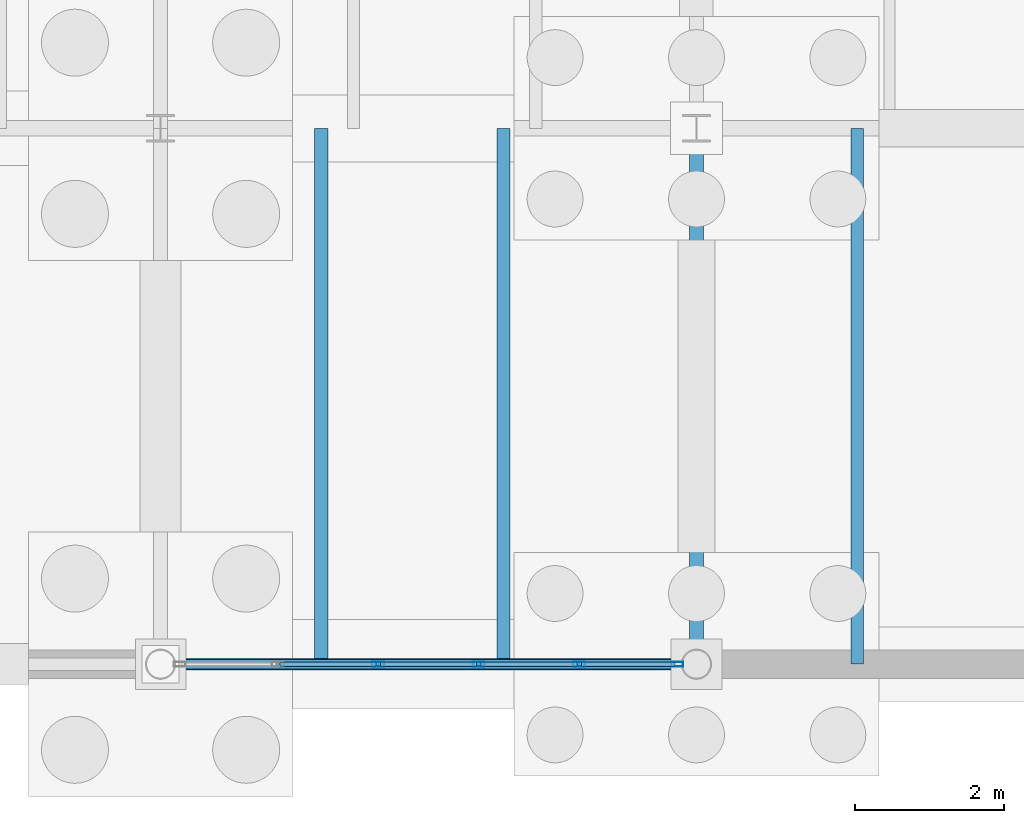
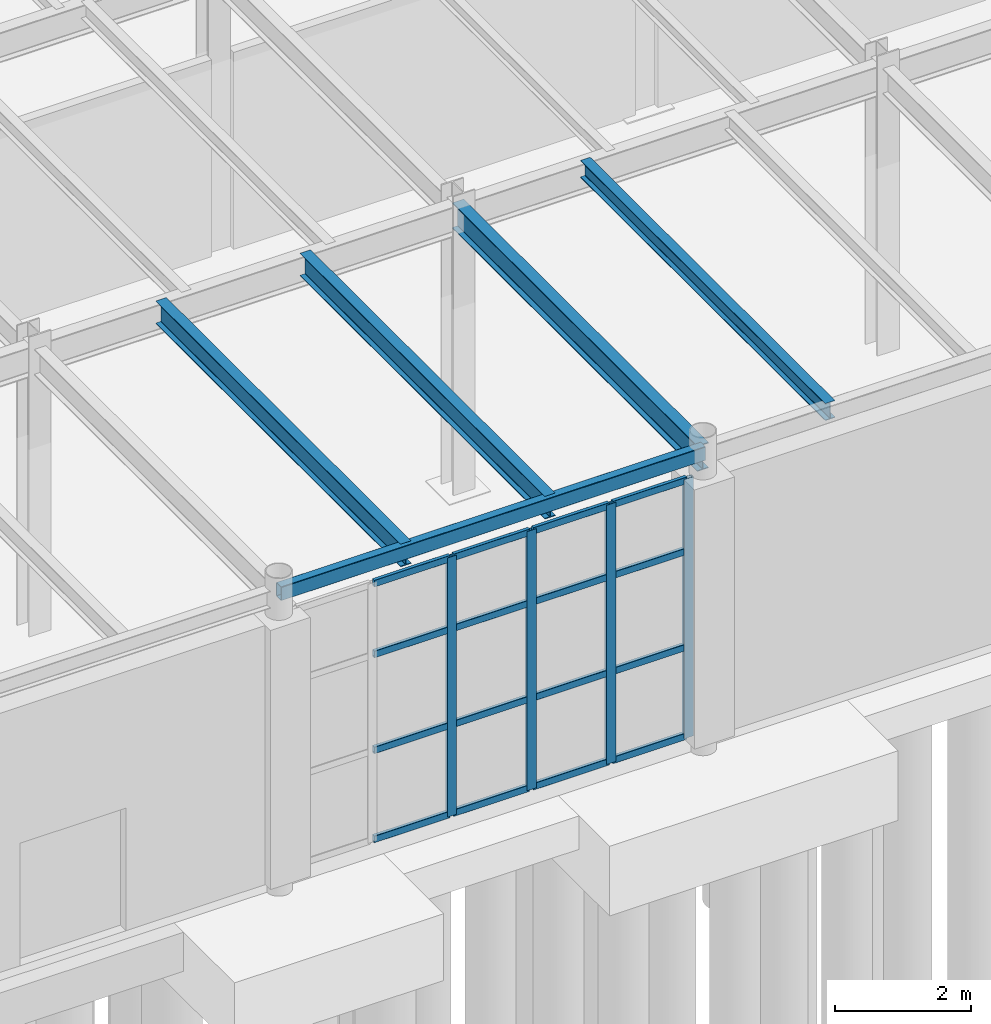
# One storey, part 50 of 293: 20 members, 5 beams, 1 element without a shape of its own.
"""IFC4 building model written with IfcOpenShell, lengths in metres."""

import ifcopenshell
import ifcopenshell.guid

model = None  # the IFC model being written
_history = None  # IfcOwnerHistory: only IFC2X3 demands one
_inside = {}  # id of a spatial element -> (the spatial element, [elements in it])
_under = {}  # id of a project, library or spatial element -> (it, [spatial elements below it])
_declared = {}  # id of a project -> (the project, [libraries it declares])
_typed = {}  # id of a type object -> (the type object, [elements of that type])
_made_of = {}  # id of a material, layer set ... -> (it, [elements and type objects made of it])


def new_model(schema):
    """Start an empty IFC model of exactly this schema.

    Asked for "IFC4X3", IfcOpenShell would pick the latest addendum, in which some entities
    have other attributes; the version numbers below select the first issue.
    IFC2X3 requires an IfcOwnerHistory on every rooted entity: one is made here for all.
    """
    global model, _history
    if schema == "IFC4X3":
        model = ifcopenshell.file(schema_version=(4, 3, 0, 0))
    else:
        model = ifcopenshell.file(schema=schema)
    _inside.clear()
    _under.clear()
    _declared.clear()
    _typed.clear()
    _made_of.clear()
    _history = None
    if model.schema == "IFC2X3":
        org = make("IfcOrganization", Name="unknown")
        user = make(
            "IfcPersonAndOrganization",
            ThePerson=make("IfcPerson", FamilyName="unknown"),
            TheOrganization=org,
        )
        app = make(
            "IfcApplication",
            ApplicationDeveloper=org,
            Version="unknown",
            ApplicationFullName="unknown",
            ApplicationIdentifier="unknown",
        )
        _history = make(
            "IfcOwnerHistory",
            OwningUser=user,
            OwningApplication=app,
            ChangeAction="ADDED",
            CreationDate=0,
        )
    return model


def make(cls, **values):
    """One entity of the class cls with the attributes given. An attribute that is None is left unset."""
    return model.create_entity(
        cls, **{name: value for name, value in values.items() if value is not None}
    )


def rooted(cls, **values):
    """An entity with a GlobalId (a new one), such as an element, a storey or a relation."""
    return make(cls, GlobalId=ifcopenshell.guid.new(), OwnerHistory=_history, **values)


def si_unit(unit_type, name, prefix=None):
    """IfcSIUnit, for example si_unit("LENGTHUNIT", "METRE", prefix="MILLI")."""
    return make("IfcSIUnit", UnitType=unit_type, Prefix=prefix, Name=name)


def assignment(units):
    """IfcUnitAssignment: the units of a project."""
    return None if units is None else make("IfcUnitAssignment", Units=units)


def point(xyz):
    """IfcCartesianPoint."""
    return None if xyz is None else make("IfcCartesianPoint", Coordinates=xyz)


def direction(xyz):
    """IfcDirection."""
    return None if xyz is None else make("IfcDirection", DirectionRatios=xyz)


def frame(location, z_axis=None, x_axis=None):
    """IfcAxis2Placement3D, a coordinate frame: its origin and axes. An axis left out is left unset."""
    return make(
        "IfcAxis2Placement3D",
        Location=point(location),
        Axis=direction(z_axis),
        RefDirection=direction(x_axis),
    )


def frame_2d(location, x_axis=None):
    """IfcAxis2Placement2D, a coordinate frame in the plane: its origin and x axis."""
    return make(
        "IfcAxis2Placement2D", Location=point(location), RefDirection=direction(x_axis)
    )


def origin():
    """The frame at (0, 0, 0) with its axes left unset."""
    return frame((0.0, 0.0, 0.0))


def origin_2d():
    """The frame at (0, 0) in the plane with its x axis left unset."""
    return frame_2d((0.0, 0.0))


def place(relative_to, where):
    """IfcLocalPlacement: puts the frame where relative to a parent placement (None: the world)."""
    return make(
        "IfcLocalPlacement", PlacementRelTo=relative_to, RelativePlacement=where
    )


def context(
    kind, dimensions, precision=None, world=None, true_north=None, identifier=None
):
    """IfcGeometricRepresentationContext, for example the 3D "Model" context."""
    return make(
        "IfcGeometricRepresentationContext",
        ContextIdentifier=identifier,
        ContextType=kind,
        CoordinateSpaceDimension=dimensions,
        Precision=precision,
        WorldCoordinateSystem=world,
        TrueNorth=true_north,
    )


def subcontext(parent, identifier, kind, view, scale=None):
    """IfcGeometricRepresentationSubContext, for example "Body" below "Model"."""
    return make(
        "IfcGeometricRepresentationSubContext",
        ContextIdentifier=identifier,
        ContextType=kind,
        ParentContext=parent,
        TargetScale=scale,
        TargetView=view,
    )


def project(units=None, contexts=None):
    """IfcProject with its units and contexts."""
    return rooted(
        "IfcProject",
        Name="project",
        RepresentationContexts=contexts,
        UnitsInContext=assignment(units),
    )


def spatial(cls, under=None, at=None, **own):
    """A site, building, storey or space (cls), placed at a placement, below another one or the project."""
    s = rooted(cls, ObjectPlacement=at, **own)
    if under is not None:
        _under.setdefault(under.id(), (under, []))[1].append(s)
    return s


def profile(cls, at=None, kind="AREA", **sizes):
    """A parametric profile (cls). Its sizes go by their IFC names, for example OverallWidth=200.0."""
    return make(cls, ProfileType=kind, Position=at, **sizes)


def hollow_rectangle(**sizes):
    """IfcRectangleHollowProfileDef."""
    return profile("IfcRectangleHollowProfileDef", **sizes)


def i_section(**sizes):
    """IfcIShapeProfileDef."""
    return profile("IfcIShapeProfileDef", **sizes)


def extrude(swept, where, along, depth):
    """IfcExtrudedAreaSolid: the profile swept, set in the frame where, extruded along a direction by depth."""
    return make(
        "IfcExtrudedAreaSolid",
        SweptArea=swept,
        Position=where,
        ExtrudedDirection=direction(along),
        Depth=depth,
    )


def shape(context_of_items, identifier, shape_type, items):
    """IfcShapeRepresentation: the items that make up one representation, for example the "Body"."""
    return make(
        "IfcShapeRepresentation",
        ContextOfItems=context_of_items,
        RepresentationIdentifier=identifier,
        RepresentationType=shape_type,
        Items=items,
    )


def material(Name=None, Category=None):
    """IfcMaterial."""
    return make("IfcMaterial", Name=Name, Category=Category)


def layer(
    of_material, thickness, ventilated=None, Name=None, Category=None, Priority=None
):
    """IfcMaterialLayer: one layer of a wall or slab, of a material (None: an air gap)."""
    return make(
        "IfcMaterialLayer",
        Material=of_material,
        LayerThickness=thickness,
        IsVentilated=ventilated,
        Name=Name,
        Category=Category,
        Priority=Priority,
    )


def layer_set(layers, Name=None):
    """IfcMaterialLayerSet."""
    return make("IfcMaterialLayerSet", MaterialLayers=layers, LayerSetName=Name)


def material_profile(
    of_material, cross_section, Name=None, Category=None, Priority=None
):
    """IfcMaterialProfile: a cross section and its material."""
    return make(
        "IfcMaterialProfile",
        Name=Name,
        Material=of_material,
        Profile=cross_section,
        Priority=Priority,
        Category=Category,
    )


def profile_set(profiles, Name=None, composite=None):
    """IfcMaterialProfileSet."""
    return make(
        "IfcMaterialProfileSet",
        Name=Name,
        MaterialProfiles=profiles,
        CompositeProfile=composite,
    )


def made_of(thing, what):
    """Note that an element or type object is made of a material, layer set ...; save() writes the relation."""
    if what is not None:
        _made_of.setdefault(what.id(), (what, []))[1].append(thing)
    return thing


def type_object(cls, material=None, **own):
    """A type object (cls), such as IfcWallType, which elements share."""
    return made_of(rooted(cls, **own), material)


def element(
    cls,
    number,
    at=None,
    inside=None,
    cuts=None,
    type_object=None,
    material=None,
    context=None,
    identifier="Body",
    shape_type=None,
    held_by="IfcProductDefinitionShape",
    body=None,
    shapes=None,
    **own,
):
    """One element of the class cls, such as IfcWall. Its Tag is "e" and its number.

    at: its placement. inside: the storey or other place that contains it. cuts: it is an
    opening in that element (IfcRelVoidsElement). A single representation is given by context,
    identifier, shape_type and body (its items); several are given by shapes. held_by: the class
    of the entity that holds the representations. save() writes the other relations.
    """
    e = rooted(cls, Tag="e%d" % number, ObjectPlacement=at, **own)
    if body is not None:
        shapes = [shape(context, identifier, shape_type, body)]
    if shapes is not None:
        e.Representation = make(held_by, Representations=shapes)
    if inside is not None:
        _inside.setdefault(inside.id(), (inside, []))[1].append(e)
    if cuts is not None:
        rooted(
            "IfcRelVoidsElement", RelatingBuildingElement=cuts, RelatedOpeningElement=e
        )
    if type_object is not None:
        _typed.setdefault(type_object.id(), (type_object, []))[1].append(e)
    return made_of(e, material)


def aggregate(whole, parts):
    """IfcRelAggregates: a whole, such as a stair, and the parts it consists of."""
    return rooted("IfcRelAggregates", RelatingObject=whole, RelatedObjects=parts)


def save(model, path):
    """Write the relations noted so far, then the file.

    IfcRelAggregates (storeys below a building ...), IfcRelContainedInSpatialStructure (elements
    in a storey), IfcRelDefinesByType, IfcRelAssociatesMaterial and IfcRelDeclares: one each for
    every whole, place, type object, material and project.
    """
    for whole, parts in _under.values():
        aggregate(whole, parts)
    for where, things in _inside.values():
        rooted(
            "IfcRelContainedInSpatialStructure",
            RelatedElements=things,
            RelatingStructure=where,
        )
    for kind, things in _typed.values():
        rooted("IfcRelDefinesByType", RelatedObjects=things, RelatingType=kind)
    for what, things in _made_of.values():
        rooted("IfcRelAssociatesMaterial", RelatedObjects=things, RelatingMaterial=what)
    for by, libraries in _declared.values():
        rooted("IfcRelDeclares", RelatingContext=by, RelatedDefinitions=libraries)
    model.write(path)


model = new_model("IFC4")

# Units and contexts
model_context = context("Model", 3, precision=1e-05, world=origin(), true_north=direction((0.0, 1.0)))
body_context = subcontext(model_context, "Body", "Model", "MODEL_VIEW")
ifc_project = project(units=[si_unit("LENGTHUNIT", "METRE"), si_unit("AREAUNIT", "SQUARE_METRE"), si_unit("VOLUMEUNIT", "CUBIC_METRE"), si_unit("PLANEANGLEUNIT", "RADIAN"), si_unit("MASSUNIT", "GRAM", prefix="KILO")], contexts=[model_context])

# Site, building, storey
site_placement = place(None, origin())
site = spatial("IfcSite", under=ifc_project, at=site_placement, CompositionType="ELEMENT")
building_placement = place(site_placement, origin())
building = spatial("IfcBuilding", under=site, at=building_placement, Name="Kemerveld Promenade Tramway Depot", CompositionType="ELEMENT")
storey_placement = place(building_placement, origin())
storey = spatial("IfcBuildingStorey", under=building, at=storey_placement, Name="L00", CompositionType="ELEMENT", Elevation=0.0)

# Beams
ifc_material_1 = material(Name="Steel S355", Category="steel")
ifc_material_profile_1 = material_profile(ifc_material_1, i_section(OverallWidth=0.19140625, OverallDepth=0.4599609375, WebThickness=0.010009765625, FlangeThickness=0.01611328125, FilletRadius=0.01025390625, at=origin_2d()), Name="457x191x82 UB")
ifc_profile_set_1 = profile_set([ifc_material_profile_1], Name="Steel S355")
beam_type_1 = type_object("IfcBeamType", Name="BM-G06", PredefinedType="BEAM", material=ifc_profile_set_1)
beam_1_placement = place(storey_placement, frame((36.0, 0.0, 4.919921875), z_axis=(0.0, 1.0, 0.0), x_axis=(-1.0, 0.0, 0.0)))
element("IfcBeam", 1, at=beam_1_placement, inside=storey, type_object=beam_type_1, Name="BMY-L00-06-A-B", PredefinedType="BEAM", context=body_context, shape_type="SweptSolid", body=[
    extrude(i_section(OverallWidth=0.19140625, OverallDepth=0.4599609375, WebThickness=0.010009765625, FlangeThickness=0.01611328125, FilletRadius=0.01025390625, at=origin_2d()), origin(), (0.0, 0.0, 1.0), 7.199951171875),
])
ifc_material_profile_2 = material_profile(ifc_material_1, hollow_rectangle(XDim=0.14990234375, YDim=0.25, WallThickness=0.010009765625, InnerFilletRadius=0.0048828125, OuterFilletRadius=0.014892578125, at=origin_2d()), Name="250x150x10.0 RHS")
ifc_profile_set_2 = profile_set([ifc_material_profile_2], Name="Steel S355")
beam_type_2 = type_object("IfcBeamType", Name="BM-G17", PredefinedType="BEAM", material=ifc_profile_set_2)
beam_2_placement = place(storey_placement, frame((28.800048828125, 0.0, 5.02490234375), z_axis=(1.0, 0.0, 0.0), x_axis=(0.0, 1.0, 0.0)))
element("IfcBeam", 2, at=beam_2_placement, inside=storey, type_object=beam_type_2, Name="BMX-L00-05-06-A", PredefinedType="BEAM", context=body_context, shape_type="SweptSolid", body=[
    extrude(hollow_rectangle(XDim=0.14990234375, YDim=0.25, WallThickness=0.010009765625, InnerFilletRadius=0.0048828125, OuterFilletRadius=0.014892578125, at=origin_2d()), origin(), (0.0, 0.0, 1.0), 7.199951171875),
])
ifc_material_profile_3 = material_profile(ifc_material_1, i_section(OverallWidth=0.165771484375, OverallDepth=0.306640625, WebThickness=0.006591796875, FlangeThickness=0.01171875, FilletRadius=0.0087890625, at=origin_2d()), Name="305x165x46 UB")
ifc_profile_set_3 = profile_set([ifc_material_profile_3], Name="Steel S355")
beam_type_3 = type_object("IfcBeamType", Name="BM-J01", PredefinedType="JOIST", material=ifc_profile_set_3)
beam_3_placement = place(storey_placement, frame((38.159912109375, 0.0, 4.99658203125), z_axis=(0.0, 1.0, 0.0), x_axis=(-1.0, 0.0, 0.0)))
element("IfcBeam", 3, at=beam_3_placement, inside=storey, type_object=beam_type_3, Name="JST-L00-06-A-1", PredefinedType="JOIST", context=body_context, shape_type="SweptSolid", body=[
    extrude(i_section(OverallWidth=0.165771484375, OverallDepth=0.306640625, WebThickness=0.006591796875, FlangeThickness=0.01171875, FilletRadius=0.0087890625, at=origin_2d()), origin(), (0.0, 0.0, 1.0), 7.199951171875),
])
ifc_material_profile_4 = material_profile(ifc_material_1, i_section(OverallWidth=0.1787109375, OverallDepth=0.409423828125, WebThickness=0.0087890625, FlangeThickness=0.014404296875, FilletRadius=0.01025390625, at=origin_2d()), Name="406x178x67 UB")
ifc_profile_set_4 = profile_set([ifc_material_profile_4], Name="Steel S355")
beam_type_4 = type_object("IfcBeamType", Name="BM-J05", PredefinedType="JOIST", material=ifc_profile_set_4)
for number, where, z_axis, x_axis, name in (
    (4, (30.9599609375, 0.0, 4.9453125), (0.0, 1.0, 0.0), (-1.0, 0.0, 0.0), "JST-L00-05-A-1"),
    (5, (33.407958984375, 0.0, 4.9453125), (0.0, 1.0, 0.0), (-1.0, 0.0, 0.0), "JST-L00-05-A-2"),
):
    element("IfcBeam", number, at=place(storey_placement, frame(where, z_axis=z_axis, x_axis=x_axis)), inside=storey, type_object=beam_type_4, Name=name, PredefinedType="JOIST", context=body_context, shape_type="SweptSolid", body=[
        extrude(i_section(OverallWidth=0.1787109375, OverallDepth=0.409423828125, WebThickness=0.0087890625, FlangeThickness=0.014404296875, FilletRadius=0.01025390625, at=origin_2d()), origin(), (0.0, 0.0, 1.0), 7.199951171875),
    ])

# Curtain wall, members
ifc_material_2 = material(Name="Bronze anodised aluminium and solar glass", Category="aluminium")
ifc_layer = layer(ifc_material_2, 0.159912109375)
ifc_layer_set = layer_set([ifc_layer], Name="CW-SYS-07")
curtain_wall_type = type_object("IfcCurtainWallType", Name="CW-SYS-07", PredefinedType="USERDEFINED", material=ifc_layer_set)
curtain_wall_placement = place(storey_placement, origin())
curtain_wall = element("IfcCurtainWall", 6, at=curtain_wall_placement, inside=storey, type_object=curtain_wall_type, Name="CW-L00-V5S-04", ObjectType="GLAZED_CURTAIN_WALL", PredefinedType="USERDEFINED")
ifc_material_3 = material(Name="Bronze anodised aluminium", Category="aluminium")
ifc_material_profile_5 = material_profile(ifc_material_3, hollow_rectangle(XDim=0.06494140625, YDim=0.159912109375, WallThickness=0.00390625, InnerFilletRadius=0.001953125, OuterFilletRadius=0.00390625, at=origin_2d()), Name="CW-MUL-160x65")
ifc_profile_set_5 = profile_set([ifc_material_profile_5], Name="Bronze anodised aluminium")
member_type_1 = type_object("IfcMemberType", Name="CW-MUL-A", PredefinedType="MULLION", material=ifc_profile_set_5)
member_1_placement = place(storey_placement, frame((35.744384765625, 0.0, 0.0), z_axis=(0.0, 0.0, 1.0), x_axis=(0.0, -1.0, 0.0)))
member_1 = element("IfcMember", 7, at=member_1_placement, type_object=member_type_1, Name="CW07 mullion 1", PredefinedType="MULLION", context=body_context, shape_type="SweptSolid", body=[
    extrude(hollow_rectangle(XDim=0.06494140625, YDim=0.159912109375, WallThickness=0.00390625, InnerFilletRadius=0.001953125, OuterFilletRadius=0.00390625, at=origin_2d()), origin(), (0.0, 0.0, 1.0), 4.64990234375),
])
member_2_placement = place(storey_placement, frame((34.426025390625, 0.0, 0.0), z_axis=(0.0, 0.0, 1.0), x_axis=(0.0, -1.0, 0.0)))
member_2 = element("IfcMember", 8, at=member_2_placement, type_object=member_type_1, Name="CW07 mullion 2", PredefinedType="MULLION", context=body_context, shape_type="SweptSolid", body=[
    extrude(hollow_rectangle(XDim=0.06494140625, YDim=0.159912109375, WallThickness=0.00390625, InnerFilletRadius=0.001953125, OuterFilletRadius=0.00390625, at=origin_2d()), origin(), (0.0, 0.0, 1.0), 4.64990234375),
])
member_3_placement = place(storey_placement, frame((33.075439453125, 0.0, 0.0), z_axis=(0.0, 0.0, 1.0), x_axis=(0.0, -1.0, 0.0)))
member_3 = element("IfcMember", 9, at=member_3_placement, type_object=member_type_1, Name="CW07 mullion 3", PredefinedType="MULLION", context=body_context, shape_type="SweptSolid", body=[
    extrude(hollow_rectangle(XDim=0.06494140625, YDim=0.159912109375, WallThickness=0.00390625, InnerFilletRadius=0.001953125, OuterFilletRadius=0.00390625, at=origin_2d()), origin(), (0.0, 0.0, 1.0), 4.64990234375),
])
member_4_placement = place(storey_placement, frame((31.724609375, 0.0, 0.0), z_axis=(0.0, 0.0, 1.0), x_axis=(0.0, -1.0, 0.0)))
member_4 = element("IfcMember", 10, at=member_4_placement, type_object=member_type_1, Name="CW07 mullion 4", PredefinedType="MULLION", context=body_context, shape_type="SweptSolid", body=[
    extrude(hollow_rectangle(XDim=0.06494140625, YDim=0.159912109375, WallThickness=0.00390625, InnerFilletRadius=0.001953125, OuterFilletRadius=0.00390625, at=origin_2d()), origin(), (0.0, 0.0, 1.0), 4.64990234375),
])
ifc_material_profile_6 = material_profile(ifc_material_3, hollow_rectangle(XDim=0.06005859375, YDim=0.1201171875, WallThickness=0.00390625, InnerFilletRadius=0.001953125, OuterFilletRadius=0.00390625, at=origin_2d()), Name="CW-TRN-120x60")
ifc_profile_set_6 = profile_set([ifc_material_profile_6], Name="Bronze anodised aluminium")
member_type_2 = type_object("IfcMemberType", Name="CW-TRN-A", PredefinedType="USERDEFINED", material=ifc_profile_set_6)
member_5_placement = place(storey_placement, frame((35.7119140625, 0.0, 0.030029296875), z_axis=(-1.0, 0.0, 0.0), x_axis=(0.0, -1.0, 0.0)))
member_5 = element("IfcMember", 11, at=member_5_placement, type_object=member_type_2, Name="CW07 transom 1.1", ObjectType="TRANSOM", PredefinedType="USERDEFINED", context=body_context, shape_type="SweptSolid", body=[
    extrude(hollow_rectangle(XDim=0.06005859375, YDim=0.1201171875, WallThickness=0.00390625, InnerFilletRadius=0.001953125, OuterFilletRadius=0.00390625, at=origin_2d()), origin(), (0.0, 0.0, 1.0), 1.25341796875),
])
member_6_placement = place(storey_placement, frame((35.7119140625, 0.0, 1.626953125), z_axis=(-1.0, 0.0, 0.0), x_axis=(0.0, -1.0, 0.0)))
member_6 = element("IfcMember", 12, at=member_6_placement, type_object=member_type_2, Name="CW07 transom 1.2", ObjectType="TRANSOM", PredefinedType="USERDEFINED", context=body_context, shape_type="SweptSolid", body=[
    extrude(hollow_rectangle(XDim=0.06005859375, YDim=0.1201171875, WallThickness=0.00390625, InnerFilletRadius=0.001953125, OuterFilletRadius=0.00390625, at=origin_2d()), origin(), (0.0, 0.0, 1.0), 1.25341796875),
])
member_7_placement = place(storey_placement, frame((35.7119140625, 0.0, 3.347900390625), z_axis=(-1.0, 0.0, 0.0), x_axis=(0.0, -1.0, 0.0)))
member_7 = element("IfcMember", 13, at=member_7_placement, type_object=member_type_2, Name="CW07 transom 1.3", ObjectType="TRANSOM", PredefinedType="USERDEFINED", context=body_context, shape_type="SweptSolid", body=[
    extrude(hollow_rectangle(XDim=0.06005859375, YDim=0.1201171875, WallThickness=0.00390625, InnerFilletRadius=0.001953125, OuterFilletRadius=0.00390625, at=origin_2d()), origin(), (0.0, 0.0, 1.0), 1.25341796875),
])
member_8_placement = place(storey_placement, frame((35.7119140625, 0.0, 4.6201171875), z_axis=(-1.0, 0.0, 0.0), x_axis=(0.0, -1.0, 0.0)))
member_8 = element("IfcMember", 14, at=member_8_placement, type_object=member_type_2, Name="CW07 transom 1.4", ObjectType="TRANSOM", PredefinedType="USERDEFINED", context=body_context, shape_type="SweptSolid", body=[
    extrude(hollow_rectangle(XDim=0.06005859375, YDim=0.1201171875, WallThickness=0.00390625, InnerFilletRadius=0.001953125, OuterFilletRadius=0.00390625, at=origin_2d()), origin(), (0.0, 0.0, 1.0), 1.25341796875),
])
member_9_placement = place(storey_placement, frame((34.3935546875, 0.0, 0.030029296875), z_axis=(-1.0, 0.0, 0.0), x_axis=(0.0, -1.0, 0.0)))
member_9 = element("IfcMember", 15, at=member_9_placement, type_object=member_type_2, Name="CW07 transom 2.1", ObjectType="TRANSOM", PredefinedType="USERDEFINED", context=body_context, shape_type="SweptSolid", body=[
    extrude(hollow_rectangle(XDim=0.06005859375, YDim=0.1201171875, WallThickness=0.00390625, InnerFilletRadius=0.001953125, OuterFilletRadius=0.00390625, at=origin_2d()), origin(), (0.0, 0.0, 1.0), 1.28564453125),
])
member_10_placement = place(storey_placement, frame((34.3935546875, 0.0, 1.626953125), z_axis=(-1.0, 0.0, 0.0), x_axis=(0.0, -1.0, 0.0)))
member_10 = element("IfcMember", 16, at=member_10_placement, type_object=member_type_2, Name="CW07 transom 2.2", ObjectType="TRANSOM", PredefinedType="USERDEFINED", context=body_context, shape_type="SweptSolid", body=[
    extrude(hollow_rectangle(XDim=0.06005859375, YDim=0.1201171875, WallThickness=0.00390625, InnerFilletRadius=0.001953125, OuterFilletRadius=0.00390625, at=origin_2d()), origin(), (0.0, 0.0, 1.0), 1.28564453125),
])
member_11_placement = place(storey_placement, frame((34.3935546875, 0.0, 3.347900390625), z_axis=(-1.0, 0.0, 0.0), x_axis=(0.0, -1.0, 0.0)))
member_11 = element("IfcMember", 17, at=member_11_placement, type_object=member_type_2, Name="CW07 transom 2.3", ObjectType="TRANSOM", PredefinedType="USERDEFINED", context=body_context, shape_type="SweptSolid", body=[
    extrude(hollow_rectangle(XDim=0.06005859375, YDim=0.1201171875, WallThickness=0.00390625, InnerFilletRadius=0.001953125, OuterFilletRadius=0.00390625, at=origin_2d()), origin(), (0.0, 0.0, 1.0), 1.28564453125),
])
member_12_placement = place(storey_placement, frame((34.3935546875, 0.0, 4.6201171875), z_axis=(-1.0, 0.0, 0.0), x_axis=(0.0, -1.0, 0.0)))
member_12 = element("IfcMember", 18, at=member_12_placement, type_object=member_type_2, Name="CW07 transom 2.4", ObjectType="TRANSOM", PredefinedType="USERDEFINED", context=body_context, shape_type="SweptSolid", body=[
    extrude(hollow_rectangle(XDim=0.06005859375, YDim=0.1201171875, WallThickness=0.00390625, InnerFilletRadius=0.001953125, OuterFilletRadius=0.00390625, at=origin_2d()), origin(), (0.0, 0.0, 1.0), 1.28564453125),
])
member_13_placement = place(storey_placement, frame((33.04296875, 0.0, 0.030029296875), z_axis=(-1.0, 0.0, 0.0), x_axis=(0.0, -1.0, 0.0)))
member_13 = element("IfcMember", 19, at=member_13_placement, type_object=member_type_2, Name="CW07 transom 3.1", ObjectType="TRANSOM", PredefinedType="USERDEFINED", context=body_context, shape_type="SweptSolid", body=[
    extrude(hollow_rectangle(XDim=0.06005859375, YDim=0.1201171875, WallThickness=0.00390625, InnerFilletRadius=0.001953125, OuterFilletRadius=0.00390625, at=origin_2d()), origin(), (0.0, 0.0, 1.0), 1.285888671875),
])
member_14_placement = place(storey_placement, frame((33.04296875, 0.0, 1.626953125), z_axis=(-1.0, 0.0, 0.0), x_axis=(0.0, -1.0, 0.0)))
member_14 = element("IfcMember", 20, at=member_14_placement, type_object=member_type_2, Name="CW07 transom 3.2", ObjectType="TRANSOM", PredefinedType="USERDEFINED", context=body_context, shape_type="SweptSolid", body=[
    extrude(hollow_rectangle(XDim=0.06005859375, YDim=0.1201171875, WallThickness=0.00390625, InnerFilletRadius=0.001953125, OuterFilletRadius=0.00390625, at=origin_2d()), origin(), (0.0, 0.0, 1.0), 1.285888671875),
])
member_15_placement = place(storey_placement, frame((33.04296875, 0.0, 3.347900390625), z_axis=(-1.0, 0.0, 0.0), x_axis=(0.0, -1.0, 0.0)))
member_15 = element("IfcMember", 21, at=member_15_placement, type_object=member_type_2, Name="CW07 transom 3.3", ObjectType="TRANSOM", PredefinedType="USERDEFINED", context=body_context, shape_type="SweptSolid", body=[
    extrude(hollow_rectangle(XDim=0.06005859375, YDim=0.1201171875, WallThickness=0.00390625, InnerFilletRadius=0.001953125, OuterFilletRadius=0.00390625, at=origin_2d()), origin(), (0.0, 0.0, 1.0), 1.285888671875),
])
member_16_placement = place(storey_placement, frame((33.04296875, 0.0, 4.6201171875), z_axis=(-1.0, 0.0, 0.0), x_axis=(0.0, -1.0, 0.0)))
member_16 = element("IfcMember", 22, at=member_16_placement, type_object=member_type_2, Name="CW07 transom 3.4", ObjectType="TRANSOM", PredefinedType="USERDEFINED", context=body_context, shape_type="SweptSolid", body=[
    extrude(hollow_rectangle(XDim=0.06005859375, YDim=0.1201171875, WallThickness=0.00390625, InnerFilletRadius=0.001953125, OuterFilletRadius=0.00390625, at=origin_2d()), origin(), (0.0, 0.0, 1.0), 1.285888671875),
])
member_17_placement = place(storey_placement, frame((31.692138671875, 0.0, 0.030029296875), z_axis=(-1.0, 0.0, 0.0), x_axis=(0.0, -1.0, 0.0)))
member_17 = element("IfcMember", 23, at=member_17_placement, type_object=member_type_2, Name="CW07 transom 4.1", ObjectType="TRANSOM", PredefinedType="USERDEFINED", context=body_context, shape_type="SweptSolid", body=[
    extrude(hollow_rectangle(XDim=0.06005859375, YDim=0.1201171875, WallThickness=0.00390625, InnerFilletRadius=0.001953125, OuterFilletRadius=0.00390625, at=origin_2d()), origin(), (0.0, 0.0, 1.0), 1.28564453125),
])
member_18_placement = place(storey_placement, frame((31.692138671875, 0.0, 1.626953125), z_axis=(-1.0, 0.0, 0.0), x_axis=(0.0, -1.0, 0.0)))
member_18 = element("IfcMember", 24, at=member_18_placement, type_object=member_type_2, Name="CW07 transom 4.2", ObjectType="TRANSOM", PredefinedType="USERDEFINED", context=body_context, shape_type="SweptSolid", body=[
    extrude(hollow_rectangle(XDim=0.06005859375, YDim=0.1201171875, WallThickness=0.00390625, InnerFilletRadius=0.001953125, OuterFilletRadius=0.00390625, at=origin_2d()), origin(), (0.0, 0.0, 1.0), 1.28564453125),
])
member_19_placement = place(storey_placement, frame((31.692138671875, 0.0, 3.347900390625), z_axis=(-1.0, 0.0, 0.0), x_axis=(0.0, -1.0, 0.0)))
member_19 = element("IfcMember", 25, at=member_19_placement, type_object=member_type_2, Name="CW07 transom 4.3", ObjectType="TRANSOM", PredefinedType="USERDEFINED", context=body_context, shape_type="SweptSolid", body=[
    extrude(hollow_rectangle(XDim=0.06005859375, YDim=0.1201171875, WallThickness=0.00390625, InnerFilletRadius=0.001953125, OuterFilletRadius=0.00390625, at=origin_2d()), origin(), (0.0, 0.0, 1.0), 1.28564453125),
])
member_20_placement = place(storey_placement, frame((31.692138671875, 0.0, 4.6201171875), z_axis=(-1.0, 0.0, 0.0), x_axis=(0.0, -1.0, 0.0)))
member_20 = element("IfcMember", 26, at=member_20_placement, type_object=member_type_2, Name="CW07 transom 4.4", ObjectType="TRANSOM", PredefinedType="USERDEFINED", context=body_context, shape_type="SweptSolid", body=[
    extrude(hollow_rectangle(XDim=0.06005859375, YDim=0.1201171875, WallThickness=0.00390625, InnerFilletRadius=0.001953125, OuterFilletRadius=0.00390625, at=origin_2d()), origin(), (0.0, 0.0, 1.0), 1.28564453125),
])
aggregate(curtain_wall, [member_1, member_2, member_3, member_4, member_5, member_6, member_7, member_8, member_9, member_10, member_11, member_12, member_13, member_14, member_15, member_16, member_17, member_18, member_19, member_20])

save(model, "model.ifc")
